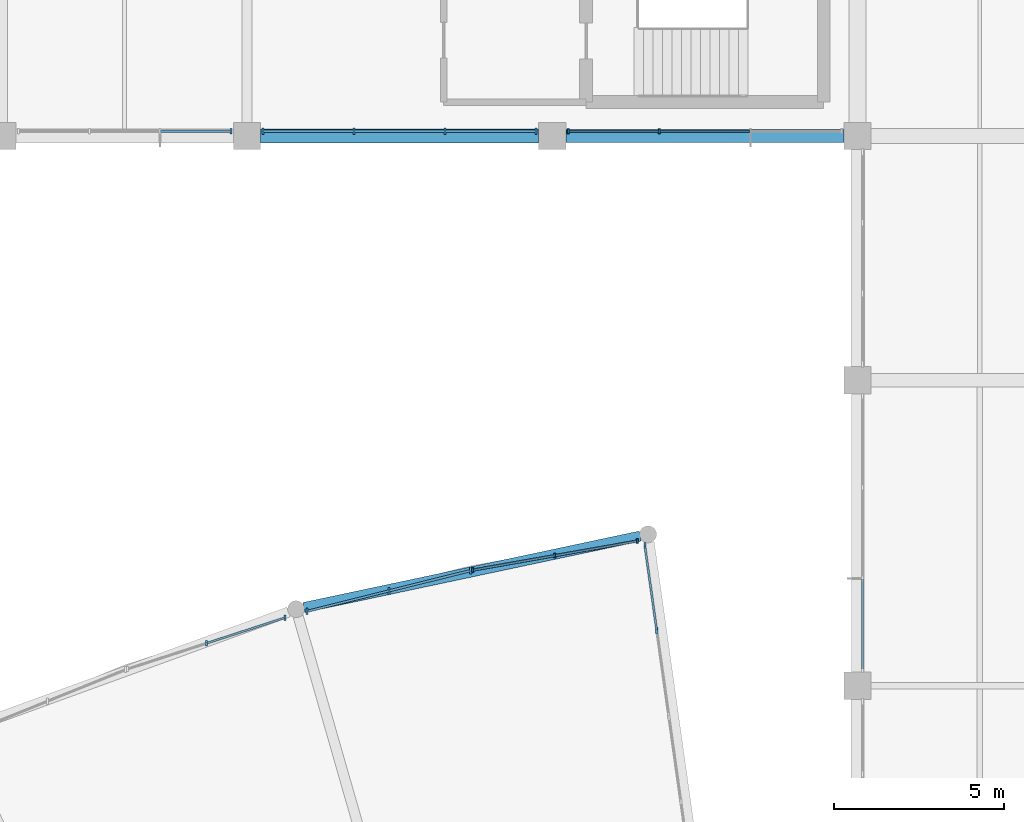
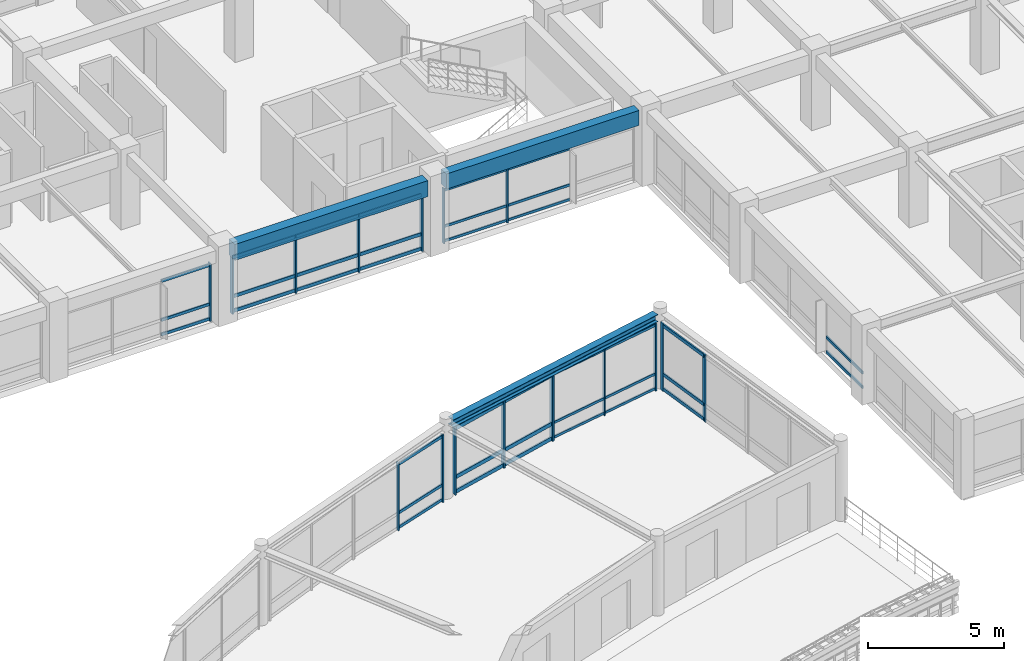
# One storey, part 36 of 74: 55 members, 3 beams, 8 elements without a shape of their own.
"""IFC4 building model written with IfcOpenShell, lengths in metres."""

from ifc_helpers import new_model, si_unit, direction, frame, origin, origin_2d, place, context, subcontext, project, spatial, rectangle, i_section, extrude, material, material_profile, profile_set, type_object, element, aggregate, save


model = new_model("IFC4")

# Units and contexts
model_context = context("Model", 3, precision=1e-05, world=origin(), true_north=direction((0.0, 1.0)))
body_context = subcontext(model_context, "Body", "Model", "MODEL_VIEW")
ifc_project = project(units=[si_unit("LENGTHUNIT", "METRE"), si_unit("AREAUNIT", "SQUARE_METRE"), si_unit("VOLUMEUNIT", "CUBIC_METRE"), si_unit("PLANEANGLEUNIT", "RADIAN"), si_unit("MASSUNIT", "GRAM", prefix="KILO")], contexts=[model_context])

# Site, building, storey
site_placement = place(None, origin())
site = spatial("IfcSite", under=ifc_project, at=site_placement, CompositionType="ELEMENT")
building_placement = place(site_placement, origin())
building = spatial("IfcBuilding", under=site, at=building_placement, Name="Clarverna Civic Hall", CompositionType="ELEMENT")
storey_placement = place(building_placement, frame((0.0, 0.0, 9.60009765625)))
storey = spatial("IfcBuildingStorey", under=building, at=storey_placement, Name="L02", CompositionType="ELEMENT", Elevation=9.60009765625)

# Beams
ifc_material_1 = material(Name="Concrete C35/45", Category="concrete")
ifc_material_profile_1 = material_profile(ifc_material_1, rectangle(XDim=0.419921875, YDim=0.719970703125, at=origin_2d()), Name="RC 420x720")
ifc_profile_set_1 = profile_set([ifc_material_profile_1], Name="Concrete C35/45")
beam_type_1 = type_object("IfcBeamType", Name="B-SP1", PredefinedType="SPANDREL", material=ifc_profile_set_1)
beam_1_placement = place(storey_placement, frame((130.0, 95.0, 2.9599609375), z_axis=(1.0, 0.0, 0.0), x_axis=(0.0, 1.0, 0.0)))
element("IfcBeam", 1, at=beam_1_placement, inside=storey, type_object=beam_type_1, Name="B-SP1-087", PredefinedType="SPANDREL", context=body_context, shape_type="SweptSolid", body=[
    extrude(rectangle(XDim=0.419921875, YDim=0.719970703125, at=origin_2d()), origin(), (0.0, 0.0, 1.0), 8.199951171875),
])
ifc_material_profile_2 = material_profile(ifc_material_1, rectangle(XDim=0.3798828125, YDim=0.679931640625, at=origin_2d()), Name="RC 380x680")
ifc_profile_set_2 = profile_set([ifc_material_profile_2], Name="Concrete C35/45")
beam_type_2 = type_object("IfcBeamType", Name="B-SP2", PredefinedType="SPANDREL", material=ifc_profile_set_2)
beam_2_placement = place(storey_placement, frame((139.0, 95.0, 2.97998046875), z_axis=(1.0, 0.0, 0.0), x_axis=(0.0, 1.0, 0.0)))
element("IfcBeam", 2, at=beam_2_placement, inside=storey, type_object=beam_type_2, Name="B-SP2-090", PredefinedType="SPANDREL", context=body_context, shape_type="SweptSolid", body=[
    extrude(rectangle(XDim=0.3798828125, YDim=0.679931640625, at=origin_2d()), origin(), (0.0, 0.0, 1.0), 8.199951171875),
])
ifc_material_2 = material(Name="Steel S355", Category="steel")
ifc_material_profile_3 = material_profile(ifc_material_2, i_section(OverallWidth=0.300048828125, OverallDepth=0.330078125, WebThickness=0.009521484375, FlangeThickness=0.0166015625, FilletRadius=0.027099609375, at=origin_2d()), Name="HEA 340")
ifc_profile_set_3 = profile_set([ifc_material_profile_3], Name="Steel S355")
beam_type_3 = type_object("IfcBeamType", Name="B-ST8", PredefinedType="BEAM", material=ifc_profile_set_3)
beam_3_placement = place(storey_placement, frame((141.19287109375, 83.21142578125, 3.19482421875), z_axis=(-0.978148378521, -0.207908031585, 0.0), x_axis=(0.207908031585, -0.978148378521, 0.0)))
element("IfcBeam", 3, at=beam_3_placement, inside=storey, type_object=beam_type_3, Name="B-ST8-078", PredefinedType="BEAM", context=body_context, shape_type="SweptSolid", body=[
    extrude(i_section(OverallWidth=0.300048828125, OverallDepth=0.330078125, WebThickness=0.009521484375, FlangeThickness=0.0166015625, FilletRadius=0.027099609375, at=origin_2d()), origin(), (0.0, 0.0, 1.0), 10.1328125),
])

# Curtain wall, members
ifc_material_3 = material(Name="Anodised Bronze Architectural Aluminium", Category="aluminium")
curtain_wall_type_1 = type_object("IfcCurtainWallType", Name="CW-01", PredefinedType="USERDEFINED", material=ifc_material_3)
curtain_wall_1_placement = place(storey_placement, origin())
curtain_wall_1 = element("IfcCurtainWall", 4, at=curtain_wall_1_placement, inside=storey, type_object=curtain_wall_type_1, Name="CW-01-051", ObjectType="UNITISED CURTAIN WALL", PredefinedType="USERDEFINED")
ifc_material_profile_4 = material_profile(ifc_material_3, rectangle(XDim=0.06005859375, YDim=0.179931640625, at=origin_2d()), Name="BRONZE 60x180")
ifc_profile_set_4 = profile_set([ifc_material_profile_4], Name="Anodised Bronze Architectural Aluminium")
member_type_1 = type_object("IfcMemberType", Name="CWM-01", PredefinedType="MULLION", material=ifc_profile_set_4)
member_1_placement = place(storey_placement, frame((138.126953125, 95.139892578125, 0.0), z_axis=(0.0, 0.0, 1.0), x_axis=(1.0, 0.0, 0.0)))
member_1 = element("IfcMember", 5, at=member_1_placement, type_object=member_type_1, Name="CWM-01-089", PredefinedType="MULLION", context=body_context, shape_type="SweptSolid", body=[
    extrude(rectangle(XDim=0.06005859375, YDim=0.179931640625, at=origin_2d()), origin(), (0.0, 0.0, 1.0), 2.599853515625),
])
member_2_placement = place(storey_placement, frame((135.4423828125, 95.139892578125, 0.0), z_axis=(0.0, 0.0, 1.0), x_axis=(1.0, 0.0, 0.0)))
member_2 = element("IfcMember", 6, at=member_2_placement, type_object=member_type_1, Name="CWM-01-090", PredefinedType="MULLION", context=body_context, shape_type="SweptSolid", body=[
    extrude(rectangle(XDim=0.06005859375, YDim=0.179931640625, at=origin_2d()), origin(), (0.0, 0.0, 1.0), 2.599853515625),
])
member_3_placement = place(storey_placement, frame((132.7578125, 95.139892578125, 0.0), z_axis=(0.0, 0.0, 1.0), x_axis=(1.0, 0.0, 0.0)))
member_3 = element("IfcMember", 7, at=member_3_placement, type_object=member_type_1, Name="CWM-01-091", PredefinedType="MULLION", context=body_context, shape_type="SweptSolid", body=[
    extrude(rectangle(XDim=0.06005859375, YDim=0.179931640625, at=origin_2d()), origin(), (0.0, 0.0, 1.0), 2.599853515625),
])
member_4_placement = place(storey_placement, frame((130.072998046875, 95.139892578125, 0.0), z_axis=(0.0, 0.0, 1.0), x_axis=(1.0, 0.0, 0.0)))
member_4 = element("IfcMember", 8, at=member_4_placement, type_object=member_type_1, Name="CWM-01-092", PredefinedType="MULLION", context=body_context, shape_type="SweptSolid", body=[
    extrude(rectangle(XDim=0.06005859375, YDim=0.179931640625, at=origin_2d()), origin(), (0.0, 0.0, 1.0), 2.599853515625),
])

curtain_wall_type_2 = type_object("IfcCurtainWallType", Name="CW-03", PredefinedType="USERDEFINED", material=ifc_material_3)
curtain_wall_2_placement = place(storey_placement, origin())
curtain_wall_2 = element("IfcCurtainWall", 9, at=curtain_wall_2_placement, inside=storey, type_object=curtain_wall_type_2, Name="CW-03-057", ObjectType="UNITISED CURTAIN WALL", PredefinedType="USERDEFINED")
member_5_placement = place(storey_placement, frame((141.326904296875, 82.937744140625, 0.0), z_axis=(0.0, 0.0, 1.0), x_axis=(1.0, 0.0, 0.0)))
member_5 = element("IfcMember", 10, at=member_5_placement, type_object=member_type_1, Name="CWM-01-099", PredefinedType="MULLION", context=body_context, shape_type="SweptSolid", body=[
    extrude(rectangle(XDim=0.06005859375, YDim=0.179931640625, at=origin_2d()), origin(), (0.0, 0.0, 1.0), 3.02978515625),
])
member_6_placement = place(storey_placement, frame((141.678955078125, 80.431884765625, 0.0), z_axis=(0.0, 0.0, 1.0), x_axis=(1.0, 0.0, 0.0)))
member_6 = element("IfcMember", 11, at=member_6_placement, type_object=member_type_1, Name="CWM-01-100", PredefinedType="MULLION", context=body_context, shape_type="SweptSolid", body=[
    extrude(rectangle(XDim=0.06005859375, YDim=0.179931640625, at=origin_2d()), origin(), (0.0, 0.0, 1.0), 3.02978515625),
])

# Curtain wall, member
curtain_wall_3_placement = place(storey_placement, origin())
curtain_wall_3 = element("IfcCurtainWall", 12, at=curtain_wall_3_placement, inside=storey, type_object=curtain_wall_type_1, Name="CW-01-052", ObjectType="UNITISED CURTAIN WALL", PredefinedType="USERDEFINED")
ifc_material_profile_5 = material_profile(ifc_material_3, rectangle(XDim=0.06005859375, YDim=0.159912109375, at=origin_2d()), Name="BRONZE 60x160")
ifc_profile_set_5 = profile_set([ifc_material_profile_5], Name="Anodised Bronze Architectural Aluminium")
member_type_2 = type_object("IfcMemberType", Name="CWM-02", PredefinedType="MULLION", material=ifc_profile_set_5)
member_7_placement = place(storey_placement, frame((129.126953125, 95.139892578125, 0.0), z_axis=(0.0, 0.0, 1.0), x_axis=(1.0, 0.0, 0.0)))
member_7 = element("IfcMember", 13, at=member_7_placement, type_object=member_type_2, Name="CWM-02-117", PredefinedType="MULLION", context=body_context, shape_type="SweptSolid", body=[
    extrude(rectangle(XDim=0.06005859375, YDim=0.159912109375, at=origin_2d()), origin(), (0.0, 0.0, 1.0), 2.599853515625),
])

# Curtain wall, members
curtain_wall_4_placement = place(storey_placement, origin())
curtain_wall_4 = element("IfcCurtainWall", 14, at=curtain_wall_4_placement, inside=storey, type_object=curtain_wall_type_2, Name="CW-03-054", ObjectType="UNITISED CURTAIN WALL", PredefinedType="USERDEFINED")
member_8_placement = place(storey_placement, frame((128.40576171875, 80.049072265625, 0.0), z_axis=(0.0, 0.0, 1.0), x_axis=(1.0, 0.0, 0.0)))
member_8 = element("IfcMember", 15, at=member_8_placement, type_object=member_type_2, Name="CWM-02-125", PredefinedType="MULLION", context=body_context, shape_type="SweptSolid", body=[
    extrude(rectangle(XDim=0.06005859375, YDim=0.159912109375, at=origin_2d()), origin(), (0.0, 0.0, 1.0), 3.02978515625),
])
member_9_placement = place(storey_placement, frame((130.730224609375, 80.80419921875, 0.0), z_axis=(0.0, 0.0, 1.0), x_axis=(1.0, 0.0, 0.0)))
member_9 = element("IfcMember", 16, at=member_9_placement, type_object=member_type_2, Name="CWM-02-126", PredefinedType="MULLION", context=body_context, shape_type="SweptSolid", body=[
    extrude(rectangle(XDim=0.06005859375, YDim=0.159912109375, at=origin_2d()), origin(), (0.0, 0.0, 1.0), 3.02978515625),
])

curtain_wall_5_placement = place(storey_placement, origin())
curtain_wall_5 = element("IfcCurtainWall", 17, at=curtain_wall_5_placement, inside=storey, type_object=curtain_wall_type_2, Name="CW-03-055", ObjectType="UNITISED CURTAIN WALL", PredefinedType="USERDEFINED")
ifc_material_profile_6 = material_profile(ifc_material_3, rectangle(XDim=0.06494140625, YDim=0.199951171875, at=origin_2d()), Name="BRONZE 65x200")
ifc_profile_set_6 = profile_set([ifc_material_profile_6], Name="Anodised Bronze Architectural Aluminium")
member_type_3 = type_object("IfcMemberType", Name="CWM-03", PredefinedType="MULLION", material=ifc_profile_set_6)
member_10_placement = place(storey_placement, frame((131.37353515625, 80.991943359375, 0.0), z_axis=(0.0, 0.0, 1.0), x_axis=(1.0, 0.0, 0.0)))
member_10 = element("IfcMember", 18, at=member_10_placement, type_object=member_type_3, Name="CWM-03-100", PredefinedType="MULLION", context=body_context, shape_type="SweptSolid", body=[
    extrude(rectangle(XDim=0.06494140625, YDim=0.199951171875, at=origin_2d()), origin(), (0.0, 0.0, 1.0), 3.02978515625),
])
member_11_placement = place(storey_placement, frame((133.787109375, 81.59375, 0.0), z_axis=(0.0, 0.0, 1.0), x_axis=(1.0, 0.0, 0.0)))
member_11 = element("IfcMember", 19, at=member_11_placement, type_object=member_type_3, Name="CWM-03-101", PredefinedType="MULLION", context=body_context, shape_type="SweptSolid", body=[
    extrude(rectangle(XDim=0.06494140625, YDim=0.199951171875, at=origin_2d()), origin(), (0.0, 0.0, 1.0), 3.02978515625),
])
member_12_placement = place(storey_placement, frame((136.20068359375, 82.1953125, 0.0), z_axis=(0.0, 0.0, 1.0), x_axis=(1.0, 0.0, 0.0)))
member_12 = element("IfcMember", 20, at=member_12_placement, type_object=member_type_3, Name="CWM-03-102", PredefinedType="MULLION", context=body_context, shape_type="SweptSolid", body=[
    extrude(rectangle(XDim=0.06494140625, YDim=0.199951171875, at=origin_2d()), origin(), (0.0, 0.0, 1.0), 3.02978515625),
])

curtain_wall_6_placement = place(storey_placement, origin())
curtain_wall_6 = element("IfcCurtainWall", 21, at=curtain_wall_6_placement, inside=storey, type_object=curtain_wall_type_1, Name="CW-01-050", ObjectType="UNITISED CURTAIN WALL", PredefinedType="USERDEFINED")
ifc_material_profile_7 = material_profile(ifc_material_3, rectangle(XDim=0.054931640625, YDim=0.139892578125, at=origin_2d()), Name="BRONZE 55x140")
ifc_profile_set_7 = profile_set([ifc_material_profile_7], Name="Anodised Bronze Architectural Aluminium")
member_type_4 = type_object("IfcMemberType", Name="CWM-04", PredefinedType="MULLION", material=ifc_profile_set_7)
member_13_placement = place(storey_placement, frame((141.7578125, 95.139892578125, 0.0), z_axis=(0.0, 0.0, 1.0), x_axis=(1.0, 0.0, 0.0)))
member_13 = element("IfcMember", 22, at=member_13_placement, type_object=member_type_4, Name="CWM-04-120", PredefinedType="MULLION", context=body_context, shape_type="SweptSolid", body=[
    extrude(rectangle(XDim=0.054931640625, YDim=0.139892578125, at=origin_2d()), origin(), (0.0, 0.0, 1.0), 2.469970703125),
])
member_14_placement = place(storey_placement, frame((139.072998046875, 95.139892578125, 0.0), z_axis=(0.0, 0.0, 1.0), x_axis=(1.0, 0.0, 0.0)))
member_14 = element("IfcMember", 23, at=member_14_placement, type_object=member_type_4, Name="CWM-04-121", PredefinedType="MULLION", context=body_context, shape_type="SweptSolid", body=[
    extrude(rectangle(XDim=0.054931640625, YDim=0.139892578125, at=origin_2d()), origin(), (0.0, 0.0, 1.0), 2.469970703125),
])

curtain_wall_7_placement = place(storey_placement, origin())
curtain_wall_7 = element("IfcCurtainWall", 24, at=curtain_wall_7_placement, inside=storey, type_object=curtain_wall_type_2, Name="CW-03-056", ObjectType="UNITISED CURTAIN WALL", PredefinedType="USERDEFINED")
member_15_placement = place(storey_placement, frame((136.255615234375, 82.20703125, 0.0), z_axis=(0.0, 0.0, 1.0), x_axis=(1.0, 0.0, 0.0)))
member_15 = element("IfcMember", 25, at=member_15_placement, type_object=member_type_4, Name="CWM-04-128", PredefinedType="MULLION", context=body_context, shape_type="SweptSolid", body=[
    extrude(rectangle(XDim=0.054931640625, YDim=0.139892578125, at=origin_2d()), origin(), (0.0, 0.0, 1.0), 3.02978515625),
])
member_16_placement = place(storey_placement, frame((138.677978515625, 82.63427734375, 0.0), z_axis=(0.0, 0.0, 1.0), x_axis=(1.0, 0.0, 0.0)))
member_16 = element("IfcMember", 26, at=member_16_placement, type_object=member_type_4, Name="CWM-04-129", PredefinedType="MULLION", context=body_context, shape_type="SweptSolid", body=[
    extrude(rectangle(XDim=0.054931640625, YDim=0.139892578125, at=origin_2d()), origin(), (0.0, 0.0, 1.0), 3.02978515625),
])
member_17_placement = place(storey_placement, frame((141.100341796875, 83.061279296875, 0.0), z_axis=(0.0, 0.0, 1.0), x_axis=(1.0, 0.0, 0.0)))
member_17 = element("IfcMember", 27, at=member_17_placement, type_object=member_type_4, Name="CWM-04-130", PredefinedType="MULLION", context=body_context, shape_type="SweptSolid", body=[
    extrude(rectangle(XDim=0.054931640625, YDim=0.139892578125, at=origin_2d()), origin(), (0.0, 0.0, 1.0), 3.02978515625),
])

# Member
ifc_material_profile_8 = material_profile(ifc_material_3, rectangle(XDim=0.06005859375, YDim=0.14990234375, at=origin_2d()), Name="BRONZE 60x150")
ifc_profile_set_8 = profile_set([ifc_material_profile_8], Name="Anodised Bronze Architectural Aluminium")
member_type_5 = type_object("IfcMemberType", Name="CWT-01", PredefinedType="USERDEFINED", material=ifc_profile_set_8)
member_18_placement = place(storey_placement, frame((138.112060546875, 95.139892578125, 0.094970703125), z_axis=(-1.0, 0.0, 0.0), x_axis=(0.0, -1.0, 0.0)))
member_18 = element("IfcMember", 28, at=member_18_placement, type_object=member_type_5, Name="CWT-01-187", ObjectType="TRANSOM", PredefinedType="USERDEFINED", context=body_context, shape_type="SweptSolid", body=[
    extrude(rectangle(XDim=0.06005859375, YDim=0.14990234375, at=origin_2d()), origin(), (0.0, 0.0, 1.0), 2.65478515625),
])

member_19_placement = place(storey_placement, frame((138.112060546875, 95.139892578125, 0.75), z_axis=(-1.0, 0.0, 0.0), x_axis=(0.0, -1.0, 0.0)))
member_19 = element("IfcMember", 29, at=member_19_placement, type_object=member_type_5, Name="CWT-01-188", ObjectType="TRANSOM", PredefinedType="USERDEFINED", context=body_context, shape_type="SweptSolid", body=[
    extrude(rectangle(XDim=0.06005859375, YDim=0.14990234375, at=origin_2d()), origin(), (0.0, 0.0, 1.0), 2.65478515625),
])

member_20_placement = place(storey_placement, frame((138.112060546875, 95.139892578125, 2.5048828125), z_axis=(-1.0, 0.0, 0.0), x_axis=(0.0, -1.0, 0.0)))
member_20 = element("IfcMember", 30, at=member_20_placement, type_object=member_type_5, Name="CWT-01-189", ObjectType="TRANSOM", PredefinedType="USERDEFINED", context=body_context, shape_type="SweptSolid", body=[
    extrude(rectangle(XDim=0.06005859375, YDim=0.14990234375, at=origin_2d()), origin(), (0.0, 0.0, 1.0), 2.65478515625),
])

member_21_placement = place(storey_placement, frame((135.42724609375, 95.139892578125, 0.094970703125), z_axis=(-1.0, 0.0, 0.0), x_axis=(0.0, -1.0, 0.0)))
member_21 = element("IfcMember", 31, at=member_21_placement, type_object=member_type_5, Name="CWT-01-190", ObjectType="TRANSOM", PredefinedType="USERDEFINED", context=body_context, shape_type="SweptSolid", body=[
    extrude(rectangle(XDim=0.06005859375, YDim=0.14990234375, at=origin_2d()), origin(), (0.0, 0.0, 1.0), 2.654541015625),
])

member_22_placement = place(storey_placement, frame((135.42724609375, 95.139892578125, 0.75), z_axis=(-1.0, 0.0, 0.0), x_axis=(0.0, -1.0, 0.0)))
member_22 = element("IfcMember", 32, at=member_22_placement, type_object=member_type_5, Name="CWT-01-191", ObjectType="TRANSOM", PredefinedType="USERDEFINED", context=body_context, shape_type="SweptSolid", body=[
    extrude(rectangle(XDim=0.06005859375, YDim=0.14990234375, at=origin_2d()), origin(), (0.0, 0.0, 1.0), 2.654541015625),
])

member_23_placement = place(storey_placement, frame((135.42724609375, 95.139892578125, 2.5048828125), z_axis=(-1.0, 0.0, 0.0), x_axis=(0.0, -1.0, 0.0)))
member_23 = element("IfcMember", 33, at=member_23_placement, type_object=member_type_5, Name="CWT-01-192", ObjectType="TRANSOM", PredefinedType="USERDEFINED", context=body_context, shape_type="SweptSolid", body=[
    extrude(rectangle(XDim=0.06005859375, YDim=0.14990234375, at=origin_2d()), origin(), (0.0, 0.0, 1.0), 2.654541015625),
])

member_24_placement = place(storey_placement, frame((132.74267578125, 95.139892578125, 0.094970703125), z_axis=(-1.0, 0.0, 0.0), x_axis=(0.0, -1.0, 0.0)))
member_24 = element("IfcMember", 34, at=member_24_placement, type_object=member_type_5, Name="CWT-01-193", ObjectType="TRANSOM", PredefinedType="USERDEFINED", context=body_context, shape_type="SweptSolid", body=[
    extrude(rectangle(XDim=0.06005859375, YDim=0.14990234375, at=origin_2d()), origin(), (0.0, 0.0, 1.0), 2.65478515625),
])

member_25_placement = place(storey_placement, frame((132.74267578125, 95.139892578125, 0.75), z_axis=(-1.0, 0.0, 0.0), x_axis=(0.0, -1.0, 0.0)))
member_25 = element("IfcMember", 35, at=member_25_placement, type_object=member_type_5, Name="CWT-01-194", ObjectType="TRANSOM", PredefinedType="USERDEFINED", context=body_context, shape_type="SweptSolid", body=[
    extrude(rectangle(XDim=0.06005859375, YDim=0.14990234375, at=origin_2d()), origin(), (0.0, 0.0, 1.0), 2.65478515625),
])

member_26_placement = place(storey_placement, frame((132.74267578125, 95.139892578125, 2.5048828125), z_axis=(-1.0, 0.0, 0.0), x_axis=(0.0, -1.0, 0.0)))
member_26 = element("IfcMember", 36, at=member_26_placement, type_object=member_type_5, Name="CWT-01-195", ObjectType="TRANSOM", PredefinedType="USERDEFINED", context=body_context, shape_type="SweptSolid", body=[
    extrude(rectangle(XDim=0.06005859375, YDim=0.14990234375, at=origin_2d()), origin(), (0.0, 0.0, 1.0), 2.65478515625),
])

aggregate(curtain_wall_1, [member_1, member_2, member_3, member_4, member_18, member_19, member_20, member_21, member_22, member_23, member_24, member_25, member_26])

member_27_placement = place(storey_placement, frame((141.328857421875, 82.9228515625, 0.094970703125), z_axis=(0.139233886918, -0.99025952393, 0.0), x_axis=(0.99025952393, 0.139233886918, 0.0)))
member_27 = element("IfcMember", 37, at=member_27_placement, type_object=member_type_5, Name="CWT-01-208", ObjectType="TRANSOM", PredefinedType="USERDEFINED", context=body_context, shape_type="SweptSolid", body=[
    extrude(rectangle(XDim=0.06005859375, YDim=0.14990234375, at=origin_2d()), origin(), (0.0, 0.0, 1.0), 2.50048828125),
])

member_28_placement = place(storey_placement, frame((141.328857421875, 82.9228515625, 0.75), z_axis=(0.139233886918, -0.99025952393, 0.0), x_axis=(0.99025952393, 0.139233886918, 0.0)))
member_28 = element("IfcMember", 38, at=member_28_placement, type_object=member_type_5, Name="CWT-01-209", ObjectType="TRANSOM", PredefinedType="USERDEFINED", context=body_context, shape_type="SweptSolid", body=[
    extrude(rectangle(XDim=0.06005859375, YDim=0.14990234375, at=origin_2d()), origin(), (0.0, 0.0, 1.0), 2.50048828125),
])

member_29_placement = place(storey_placement, frame((141.328857421875, 82.9228515625, 2.934814453125), z_axis=(0.139233886918, -0.99025952393, 0.0), x_axis=(0.99025952393, 0.139233886918, 0.0)))
member_29 = element("IfcMember", 39, at=member_29_placement, type_object=member_type_5, Name="CWT-01-210", ObjectType="TRANSOM", PredefinedType="USERDEFINED", context=body_context, shape_type="SweptSolid", body=[
    extrude(rectangle(XDim=0.06005859375, YDim=0.14990234375, at=origin_2d()), origin(), (0.0, 0.0, 1.0), 2.50048828125),
])

aggregate(curtain_wall_2, [member_5, member_6, member_27, member_28, member_29])

# Curtain wall, members
curtain_wall_8_placement = place(storey_placement, origin())
curtain_wall_8 = element("IfcCurtainWall", 40, at=curtain_wall_8_placement, inside=storey, type_object=curtain_wall_type_1, Name="CW-01-048", ObjectType="UNITISED CURTAIN WALL", PredefinedType="USERDEFINED")
ifc_material_profile_9 = material_profile(ifc_material_3, rectangle(XDim=0.06005859375, YDim=0.1298828125, at=origin_2d()), Name="BRONZE 60x130")
ifc_profile_set_9 = profile_set([ifc_material_profile_9], Name="Anodised Bronze Architectural Aluminium")
member_type_6 = type_object("IfcMemberType", Name="CWT-02", PredefinedType="USERDEFINED", material=ifc_profile_set_9)
member_30_placement = place(storey_placement, frame((147.739990234375, 79.2880859375, 0.094970703125), z_axis=(0.0, 1.0, 0.0), x_axis=(-1.0, 0.0, 0.0)))
member_30 = element("IfcMember", 41, at=member_30_placement, type_object=member_type_6, Name="CWT-02-235", ObjectType="TRANSOM", PredefinedType="USERDEFINED", context=body_context, shape_type="SweptSolid", body=[
    extrude(rectangle(XDim=0.06005859375, YDim=0.1298828125, at=origin_2d()), origin(), (0.0, 0.0, 1.0), 2.654541015625),
])
member_31_placement = place(storey_placement, frame((147.739990234375, 79.2880859375, 0.75), z_axis=(0.0, 1.0, 0.0), x_axis=(-1.0, 0.0, 0.0)))
member_31 = element("IfcMember", 42, at=member_31_placement, type_object=member_type_6, Name="CWT-02-236", ObjectType="TRANSOM", PredefinedType="USERDEFINED", context=body_context, shape_type="SweptSolid", body=[
    extrude(rectangle(XDim=0.06005859375, YDim=0.1298828125, at=origin_2d()), origin(), (0.0, 0.0, 1.0), 2.654541015625),
])
aggregate(curtain_wall_8, [member_30, member_31])

# Member
member_32_placement = place(storey_placement, frame((129.112060546875, 95.139892578125, 0.094970703125), z_axis=(-1.0, 0.0, 0.0), x_axis=(0.0, -1.0, 0.0)))
member_32 = element("IfcMember", 43, at=member_32_placement, type_object=member_type_6, Name="CWT-02-244", ObjectType="TRANSOM", PredefinedType="USERDEFINED", context=body_context, shape_type="SweptSolid", body=[
    extrude(rectangle(XDim=0.06005859375, YDim=0.1298828125, at=origin_2d()), origin(), (0.0, 0.0, 1.0), 2.0546875),
])

member_33_placement = place(storey_placement, frame((129.112060546875, 95.139892578125, 0.75), z_axis=(-1.0, 0.0, 0.0), x_axis=(0.0, -1.0, 0.0)))
member_33 = element("IfcMember", 44, at=member_33_placement, type_object=member_type_6, Name="CWT-02-245", ObjectType="TRANSOM", PredefinedType="USERDEFINED", context=body_context, shape_type="SweptSolid", body=[
    extrude(rectangle(XDim=0.06005859375, YDim=0.1298828125, at=origin_2d()), origin(), (0.0, 0.0, 1.0), 2.0546875),
])

member_34_placement = place(storey_placement, frame((129.112060546875, 95.139892578125, 2.5048828125), z_axis=(-1.0, 0.0, 0.0), x_axis=(0.0, -1.0, 0.0)))
member_34 = element("IfcMember", 45, at=member_34_placement, type_object=member_type_6, Name="CWT-02-246", ObjectType="TRANSOM", PredefinedType="USERDEFINED", context=body_context, shape_type="SweptSolid", body=[
    extrude(rectangle(XDim=0.06005859375, YDim=0.1298828125, at=origin_2d()), origin(), (0.0, 0.0, 1.0), 2.0546875),
])

aggregate(curtain_wall_3, [member_7, member_32, member_33, member_34])

member_35_placement = place(storey_placement, frame((128.419921875, 80.0537109375, 0.094970703125), z_axis=(0.951042986681, 0.309058631146, 0.0), x_axis=(-0.309058631146, 0.951042986681, 0.0)))
member_35 = element("IfcMember", 46, at=member_35_placement, type_object=member_type_6, Name="CWT-02-262", ObjectType="TRANSOM", PredefinedType="USERDEFINED", context=body_context, shape_type="SweptSolid", body=[
    extrude(rectangle(XDim=0.06005859375, YDim=0.1298828125, at=origin_2d()), origin(), (0.0, 0.0, 1.0), 2.4140625),
])

member_36_placement = place(storey_placement, frame((128.419921875, 80.0537109375, 0.75), z_axis=(0.951042986681, 0.309058631146, 0.0), x_axis=(-0.309058631146, 0.951042986681, 0.0)))
member_36 = element("IfcMember", 47, at=member_36_placement, type_object=member_type_6, Name="CWT-02-263", ObjectType="TRANSOM", PredefinedType="USERDEFINED", context=body_context, shape_type="SweptSolid", body=[
    extrude(rectangle(XDim=0.06005859375, YDim=0.1298828125, at=origin_2d()), origin(), (0.0, 0.0, 1.0), 2.4140625),
])

member_37_placement = place(storey_placement, frame((128.419921875, 80.0537109375, 2.934814453125), z_axis=(0.951042986681, 0.309058631146, 0.0), x_axis=(-0.309058631146, 0.951042986681, 0.0)))
member_37 = element("IfcMember", 48, at=member_37_placement, type_object=member_type_6, Name="CWT-02-264", ObjectType="TRANSOM", PredefinedType="USERDEFINED", context=body_context, shape_type="SweptSolid", body=[
    extrude(rectangle(XDim=0.06005859375, YDim=0.1298828125, at=origin_2d()), origin(), (0.0, 0.0, 1.0), 2.4140625),
])

aggregate(curtain_wall_4, [member_8, member_9, member_35, member_36, member_37])

ifc_material_profile_10 = material_profile(ifc_material_3, rectangle(XDim=0.06494140625, YDim=0.169921875, at=origin_2d()), Name="BRONZE 65x170")
ifc_profile_set_10 = profile_set([ifc_material_profile_10], Name="Anodised Bronze Architectural Aluminium")
member_type_7 = type_object("IfcMemberType", Name="CWT-03", PredefinedType="USERDEFINED", material=ifc_profile_set_10)
member_38_placement = place(storey_placement, frame((131.38818359375, 80.99560546875, 0.094970703125), z_axis=(0.970294263403, 0.241927762788, 0.0), x_axis=(-0.241927762788, 0.970294263403, 0.0)))
member_38 = element("IfcMember", 49, at=member_38_placement, type_object=member_type_7, Name="CWT-03-211", ObjectType="TRANSOM", PredefinedType="USERDEFINED", context=body_context, shape_type="SweptSolid", body=[
    extrude(rectangle(XDim=0.06494140625, YDim=0.169921875, at=origin_2d()), origin(), (0.0, 0.0, 1.0), 2.457275390625),
])

member_39_placement = place(storey_placement, frame((131.38818359375, 80.99560546875, 0.75), z_axis=(0.970294263403, 0.241927762788, 0.0), x_axis=(-0.241927762788, 0.970294263403, 0.0)))
member_39 = element("IfcMember", 50, at=member_39_placement, type_object=member_type_7, Name="CWT-03-212", ObjectType="TRANSOM", PredefinedType="USERDEFINED", context=body_context, shape_type="SweptSolid", body=[
    extrude(rectangle(XDim=0.06494140625, YDim=0.169921875, at=origin_2d()), origin(), (0.0, 0.0, 1.0), 2.457275390625),
])

member_40_placement = place(storey_placement, frame((131.38818359375, 80.99560546875, 2.934814453125), z_axis=(0.970294263403, 0.241927762788, 0.0), x_axis=(-0.241927762788, 0.970294263403, 0.0)))
member_40 = element("IfcMember", 51, at=member_40_placement, type_object=member_type_7, Name="CWT-03-213", ObjectType="TRANSOM", PredefinedType="USERDEFINED", context=body_context, shape_type="SweptSolid", body=[
    extrude(rectangle(XDim=0.06494140625, YDim=0.169921875, at=origin_2d()), origin(), (0.0, 0.0, 1.0), 2.457275390625),
])

member_41_placement = place(storey_placement, frame((133.8017578125, 81.597412109375, 0.094970703125), z_axis=(0.970294263403, 0.241927762788, 0.0), x_axis=(-0.241927762788, 0.970294263403, 0.0)))
member_41 = element("IfcMember", 52, at=member_41_placement, type_object=member_type_7, Name="CWT-03-214", ObjectType="TRANSOM", PredefinedType="USERDEFINED", context=body_context, shape_type="SweptSolid", body=[
    extrude(rectangle(XDim=0.06494140625, YDim=0.169921875, at=origin_2d()), origin(), (0.0, 0.0, 1.0), 2.457275390625),
])

member_42_placement = place(storey_placement, frame((133.8017578125, 81.597412109375, 0.75), z_axis=(0.970294263403, 0.241927762788, 0.0), x_axis=(-0.241927762788, 0.970294263403, 0.0)))
member_42 = element("IfcMember", 53, at=member_42_placement, type_object=member_type_7, Name="CWT-03-215", ObjectType="TRANSOM", PredefinedType="USERDEFINED", context=body_context, shape_type="SweptSolid", body=[
    extrude(rectangle(XDim=0.06494140625, YDim=0.169921875, at=origin_2d()), origin(), (0.0, 0.0, 1.0), 2.457275390625),
])

member_43_placement = place(storey_placement, frame((133.8017578125, 81.597412109375, 2.934814453125), z_axis=(0.970294263403, 0.241927762788, 0.0), x_axis=(-0.241927762788, 0.970294263403, 0.0)))
member_43 = element("IfcMember", 54, at=member_43_placement, type_object=member_type_7, Name="CWT-03-216", ObjectType="TRANSOM", PredefinedType="USERDEFINED", context=body_context, shape_type="SweptSolid", body=[
    extrude(rectangle(XDim=0.06494140625, YDim=0.169921875, at=origin_2d()), origin(), (0.0, 0.0, 1.0), 2.457275390625),
])

aggregate(curtain_wall_5, [member_10, member_11, member_12, member_38, member_39, member_40, member_41, member_42, member_43])

ifc_material_profile_11 = material_profile(ifc_material_3, rectangle(XDim=0.054931640625, YDim=0.110107421875, at=origin_2d()), Name="BRONZE 55x110")
ifc_profile_set_11 = profile_set([ifc_material_profile_11], Name="Anodised Bronze Architectural Aluminium")
member_type_8 = type_object("IfcMemberType", Name="CWT-04", PredefinedType="USERDEFINED", material=ifc_profile_set_11)
member_44_placement = place(storey_placement, frame((144.42724609375, 95.139892578125, 0.094970703125), z_axis=(-1.0, 0.0, 0.0), x_axis=(0.0, -1.0, 0.0)))
member_44 = element("IfcMember", 55, at=member_44_placement, type_object=member_type_8, Name="CWT-04-250", ObjectType="TRANSOM", PredefinedType="USERDEFINED", context=body_context, shape_type="SweptSolid", body=[
    extrude(rectangle(XDim=0.054931640625, YDim=0.110107421875, at=origin_2d()), origin(), (0.0, 0.0, 1.0), 2.654541015625),
])

member_45_placement = place(storey_placement, frame((144.42724609375, 95.139892578125, 0.75), z_axis=(-1.0, 0.0, 0.0), x_axis=(0.0, -1.0, 0.0)))
member_45 = element("IfcMember", 56, at=member_45_placement, type_object=member_type_8, Name="CWT-04-251", ObjectType="TRANSOM", PredefinedType="USERDEFINED", context=body_context, shape_type="SweptSolid", body=[
    extrude(rectangle(XDim=0.054931640625, YDim=0.110107421875, at=origin_2d()), origin(), (0.0, 0.0, 1.0), 2.654541015625),
])

member_46_placement = place(storey_placement, frame((144.42724609375, 95.139892578125, 2.375), z_axis=(-1.0, 0.0, 0.0), x_axis=(0.0, -1.0, 0.0)))
member_46 = element("IfcMember", 57, at=member_46_placement, type_object=member_type_8, Name="CWT-04-252", ObjectType="TRANSOM", PredefinedType="USERDEFINED", context=body_context, shape_type="SweptSolid", body=[
    extrude(rectangle(XDim=0.054931640625, YDim=0.110107421875, at=origin_2d()), origin(), (0.0, 0.0, 1.0), 2.654541015625),
])

member_47_placement = place(storey_placement, frame((141.74267578125, 95.139892578125, 0.094970703125), z_axis=(-1.0, 0.0, 0.0), x_axis=(0.0, -1.0, 0.0)))
member_47 = element("IfcMember", 58, at=member_47_placement, type_object=member_type_8, Name="CWT-04-253", ObjectType="TRANSOM", PredefinedType="USERDEFINED", context=body_context, shape_type="SweptSolid", body=[
    extrude(rectangle(XDim=0.054931640625, YDim=0.110107421875, at=origin_2d()), origin(), (0.0, 0.0, 1.0), 2.65478515625),
])

member_48_placement = place(storey_placement, frame((141.74267578125, 95.139892578125, 0.75), z_axis=(-1.0, 0.0, 0.0), x_axis=(0.0, -1.0, 0.0)))
member_48 = element("IfcMember", 59, at=member_48_placement, type_object=member_type_8, Name="CWT-04-254", ObjectType="TRANSOM", PredefinedType="USERDEFINED", context=body_context, shape_type="SweptSolid", body=[
    extrude(rectangle(XDim=0.054931640625, YDim=0.110107421875, at=origin_2d()), origin(), (0.0, 0.0, 1.0), 2.65478515625),
])

member_49_placement = place(storey_placement, frame((141.74267578125, 95.139892578125, 2.375), z_axis=(-1.0, 0.0, 0.0), x_axis=(0.0, -1.0, 0.0)))
member_49 = element("IfcMember", 60, at=member_49_placement, type_object=member_type_8, Name="CWT-04-255", ObjectType="TRANSOM", PredefinedType="USERDEFINED", context=body_context, shape_type="SweptSolid", body=[
    extrude(rectangle(XDim=0.054931640625, YDim=0.110107421875, at=origin_2d()), origin(), (0.0, 0.0, 1.0), 2.65478515625),
])

aggregate(curtain_wall_6, [member_13, member_14, member_44, member_45, member_46, member_47, member_48, member_49])

member_50_placement = place(storey_placement, frame((136.270263671875, 82.209716796875, 0.094970703125), z_axis=(0.984810858511, 0.173630564586, 0.0), x_axis=(-0.173630564586, 0.984810858511, 0.0)))
member_50 = element("IfcMember", 61, at=member_50_placement, type_object=member_type_8, Name="CWT-04-268", ObjectType="TRANSOM", PredefinedType="USERDEFINED", context=body_context, shape_type="SweptSolid", body=[
    extrude(rectangle(XDim=0.054931640625, YDim=0.110107421875, at=origin_2d()), origin(), (0.0, 0.0, 1.0), 2.4296875),
])

member_51_placement = place(storey_placement, frame((136.270263671875, 82.209716796875, 0.75), z_axis=(0.984810858511, 0.173630564586, 0.0), x_axis=(-0.173630564586, 0.984810858511, 0.0)))
member_51 = element("IfcMember", 62, at=member_51_placement, type_object=member_type_8, Name="CWT-04-269", ObjectType="TRANSOM", PredefinedType="USERDEFINED", context=body_context, shape_type="SweptSolid", body=[
    extrude(rectangle(XDim=0.054931640625, YDim=0.110107421875, at=origin_2d()), origin(), (0.0, 0.0, 1.0), 2.4296875),
])

member_52_placement = place(storey_placement, frame((136.270263671875, 82.209716796875, 2.934814453125), z_axis=(0.984810858511, 0.173630564586, 0.0), x_axis=(-0.173630564586, 0.984810858511, 0.0)))
member_52 = element("IfcMember", 63, at=member_52_placement, type_object=member_type_8, Name="CWT-04-270", ObjectType="TRANSOM", PredefinedType="USERDEFINED", context=body_context, shape_type="SweptSolid", body=[
    extrude(rectangle(XDim=0.054931640625, YDim=0.110107421875, at=origin_2d()), origin(), (0.0, 0.0, 1.0), 2.4296875),
])

member_53_placement = place(storey_placement, frame((138.692626953125, 82.63671875, 0.094970703125), z_axis=(0.984793672475, 0.173728013438, 0.0), x_axis=(-0.173728013438, 0.984793672475, 0.0)))
member_53 = element("IfcMember", 64, at=member_53_placement, type_object=member_type_8, Name="CWT-04-271", ObjectType="TRANSOM", PredefinedType="USERDEFINED", context=body_context, shape_type="SweptSolid", body=[
    extrude(rectangle(XDim=0.054931640625, YDim=0.110107421875, at=origin_2d()), origin(), (0.0, 0.0, 1.0), 2.4296875),
])

member_54_placement = place(storey_placement, frame((138.692626953125, 82.63671875, 0.75), z_axis=(0.984793672475, 0.173728013438, 0.0), x_axis=(-0.173728013438, 0.984793672475, 0.0)))
member_54 = element("IfcMember", 65, at=member_54_placement, type_object=member_type_8, Name="CWT-04-272", ObjectType="TRANSOM", PredefinedType="USERDEFINED", context=body_context, shape_type="SweptSolid", body=[
    extrude(rectangle(XDim=0.054931640625, YDim=0.110107421875, at=origin_2d()), origin(), (0.0, 0.0, 1.0), 2.4296875),
])

member_55_placement = place(storey_placement, frame((138.692626953125, 82.63671875, 2.934814453125), z_axis=(0.984793672475, 0.173728013438, 0.0), x_axis=(-0.173728013438, 0.984793672475, 0.0)))
member_55 = element("IfcMember", 66, at=member_55_placement, type_object=member_type_8, Name="CWT-04-273", ObjectType="TRANSOM", PredefinedType="USERDEFINED", context=body_context, shape_type="SweptSolid", body=[
    extrude(rectangle(XDim=0.054931640625, YDim=0.110107421875, at=origin_2d()), origin(), (0.0, 0.0, 1.0), 2.4296875),
])

aggregate(curtain_wall_7, [member_15, member_16, member_17, member_50, member_51, member_52, member_53, member_54, member_55])

save(model, "model.ifc")
